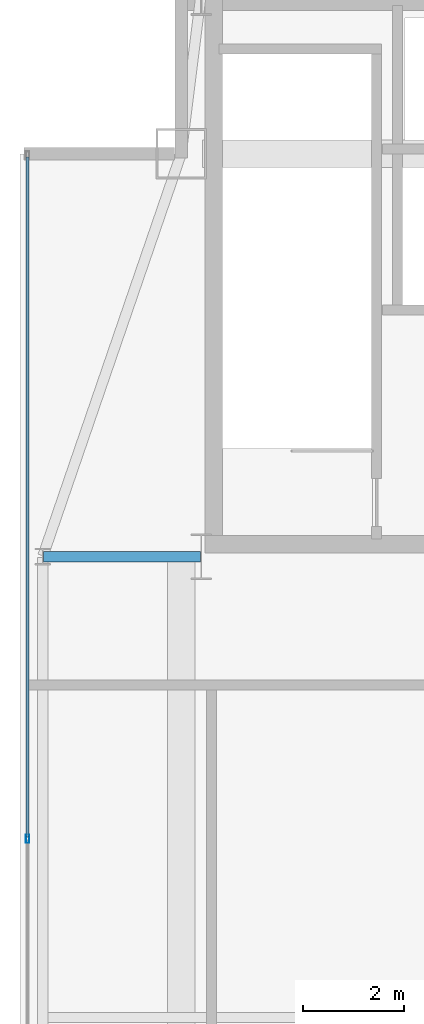
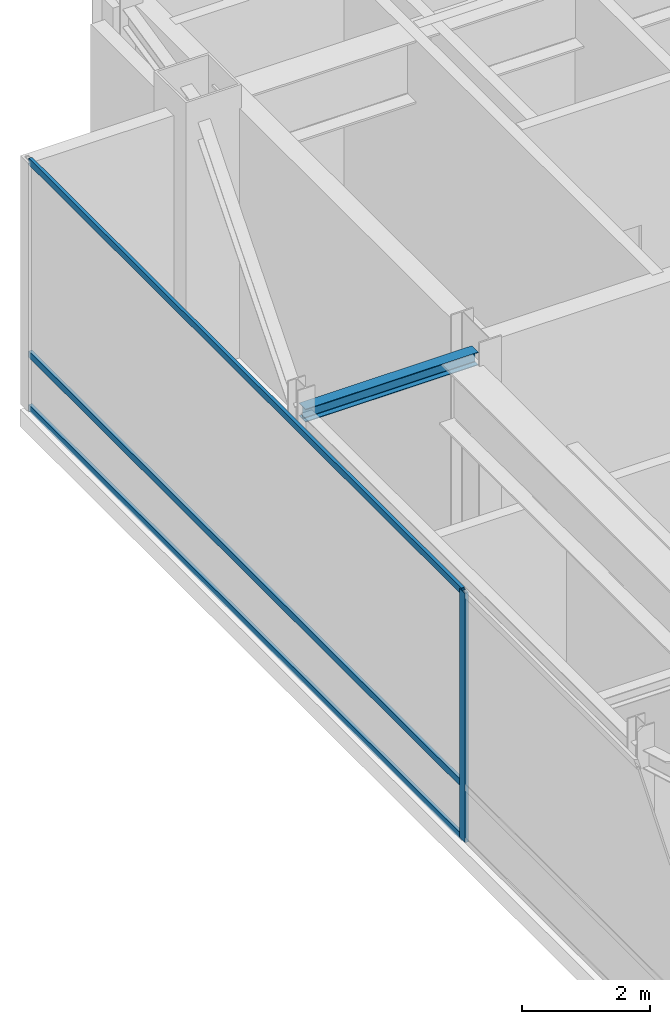
# One storey, part 10 of 20: 4 members, 1 beam, 1 element without a shape of its own.
"""IFC4 building model written with IfcOpenShell, lengths in metres."""

from ifc_helpers import new_model, si_unit, direction, frame, origin, origin_2d, place, context, subcontext, project, spatial, hollow_rectangle, i_section, extrude, source, transform, mapped, material, layer, layer_set, material_profile, profile_set, type_object, type_shapes, element, aggregate, save


model = new_model("IFC4")

# Units and contexts
model_context = context("Model", 3, precision=1e-05, world=origin(), true_north=direction((0.0, 1.0)))
body_context = subcontext(model_context, "Body", "Model", "MODEL_VIEW")
ifc_project = project(units=[si_unit("LENGTHUNIT", "METRE"), si_unit("AREAUNIT", "SQUARE_METRE"), si_unit("VOLUMEUNIT", "CUBIC_METRE"), si_unit("PLANEANGLEUNIT", "RADIAN"), si_unit("MASSUNIT", "GRAM", prefix="KILO")], contexts=[model_context])

# Site, building, storey
site_placement = place(None, origin())
site = spatial("IfcSite", under=ifc_project, at=site_placement, CompositionType="ELEMENT")
building_placement = place(site_placement, origin())
building = spatial("IfcBuilding", under=site, at=building_placement, Name="Varnel Quay Broadcast Tower", CompositionType="ELEMENT")
storey_placement = place(building_placement, frame((0.0, 0.0, 314.60009765625)))
storey = spatial("IfcBuildingStorey", under=building, at=storey_placement, Name="L78", CompositionType="ELEMENT", Elevation=314.60009765625)

# Beam
ifc_material_1 = material(Name="Structural Steel CSA G40.21 350W", Category="steel")
ifc_material_profile_1 = material_profile(ifc_material_1, i_section(OverallWidth=0.201904296875, OverallDepth=0.2470703125, WebThickness=0.00732421875, FlangeThickness=0.010986328125, FilletRadius=0.010986328125, at=origin_2d()), Name="W250X49")
ifc_profile_set_1 = profile_set([ifc_material_profile_1], Name="Structural Steel CSA G40.21 350W")
beam_type = type_object("IfcBeamType", Name="Beam_W250X49", PredefinedType="JOIST", material=ifc_profile_set_1)
shared_shape_1 = source(origin(), body_context, "Body", "SweptSolid", [
    extrude(i_section(OverallWidth=0.201904296875, OverallDepth=0.2470703125, WebThickness=0.00732421875, FlangeThickness=0.010986328125, FilletRadius=0.010986328125, at=origin_2d()), origin(), (0.0, 0.0, 1.0), 3.110107421875),
])
type_shapes(beam_type, [shared_shape_1])
beam_placement = place(storey_placement, frame((12.469970703125, 35.60009765625, 4.62646484375), z_axis=(1.0, 0.0, 0.0), x_axis=(0.0, 1.0, 0.0)))
element("IfcBeam", 1, at=beam_placement, inside=storey, type_object=beam_type, Name="L78 West Core Tie Joist", PredefinedType="JOIST", context=body_context, shape_type="MappedRepresentation", body=[
    mapped(shared_shape_1, transform((0.0, 0.0, 0.0), x_axis=(1.0, 0.0, 0.0), y_axis=(0.0, 1.0, 0.0), z_axis=(0.0, 0.0, 1.0), scale=1.0)),
])

# Curtain wall, members
ifc_material_2 = material(Name="Anodised Bronze Aluminium 6063-T6", Category="aluminium")
ifc_layer = layer(ifc_material_2, 0.18994140625, Name="Anodised Bronze Aluminium 6063-T6")
ifc_layer_set = layer_set([ifc_layer], Name="Anodised Bronze Aluminium 6063-T6")
curtain_wall_type = type_object("IfcCurtainWallType", Name="CW_UpperTower", PredefinedType="NOTDEFINED", material=ifc_layer_set)
curtain_wall_placement = place(storey_placement, origin())
curtain_wall = element("IfcCurtainWall", 2, at=curtain_wall_placement, inside=storey, type_object=curtain_wall_type, Name="L78 West Unitised Curtain Wall", PredefinedType="NOTDEFINED")
ifc_material_profile_2 = material_profile(ifc_material_2, hollow_rectangle(XDim=0.06005859375, YDim=0.125, WallThickness=0.0029296875, at=origin_2d()), Name="ALU60X125X3")
ifc_profile_set_2 = profile_set([ifc_material_profile_2], Name="Anodised Bronze Aluminium 6063-T6")
member_type_1 = type_object("IfcMemberType", Name="Tran_CWS-03", PredefinedType="USERDEFINED", material=ifc_profile_set_2)
shared_shape_2 = source(origin(), body_context, "Body", "SweptSolid", [
    extrude(hollow_rectangle(XDim=0.06005859375, YDim=0.125, WallThickness=0.0029296875, at=origin_2d()), origin(), (0.0, 0.0, 1.0), 13.50244140625),
])
type_shapes(member_type_1, [shared_shape_2])
member_1_placement = place(storey_placement, frame((12.14990234375, 30.032470703125, 0.02978515625), z_axis=(0.0, 1.0, 0.0), x_axis=(-1.0, 0.0, 0.0)))
member_1 = element("IfcMember", 3, at=member_1_placement, type_object=member_type_1, Name="CWS-03 transom 2.1", ObjectType="TRANSOM", PredefinedType="USERDEFINED", context=body_context, shape_type="MappedRepresentation", body=[
    mapped(shared_shape_2, transform((0.0, 0.0, 0.0), x_axis=(1.0, 0.0, 0.0), y_axis=(0.0, 1.0, 0.0), z_axis=(0.0, 0.0, 1.0), scale=1.0)),
])
member_2_placement = place(storey_placement, frame((12.14990234375, 30.032470703125, 1.0498046875), z_axis=(0.0, 1.0, 0.0), x_axis=(-1.0, 0.0, 0.0)))
member_2 = element("IfcMember", 4, at=member_2_placement, type_object=member_type_1, Name="CWS-03 transom 2.2", ObjectType="TRANSOM", PredefinedType="USERDEFINED", context=body_context, shape_type="MappedRepresentation", body=[
    mapped(shared_shape_2, transform((0.0, 0.0, 0.0), x_axis=(1.0, 0.0, 0.0), y_axis=(0.0, 1.0, 0.0), z_axis=(0.0, 0.0, 1.0), scale=1.0)),
])
member_3_placement = place(storey_placement, frame((12.14990234375, 30.032470703125, 4.719970703125), z_axis=(0.0, 1.0, 0.0), x_axis=(-1.0, 0.0, 0.0)))
member_3 = element("IfcMember", 5, at=member_3_placement, type_object=member_type_1, Name="CWS-03 transom 2.3", ObjectType="TRANSOM", PredefinedType="USERDEFINED", context=body_context, shape_type="MappedRepresentation", body=[
    mapped(shared_shape_2, transform((0.0, 0.0, 0.0), x_axis=(1.0, 0.0, 0.0), y_axis=(0.0, 1.0, 0.0), z_axis=(0.0, 0.0, 1.0), scale=1.0)),
])
ifc_material_profile_3 = material_profile(ifc_material_2, hollow_rectangle(XDim=0.06494140625, YDim=0.1650390625, WallThickness=0.00341796875, at=origin_2d()), Name="ALU65X165X3.5")
ifc_profile_set_3 = profile_set([ifc_material_profile_3], Name="Anodised Bronze Aluminium 6063-T6")
member_type_2 = type_object("IfcMemberType", Name="Mull_CWS-03", PredefinedType="MULLION", material=ifc_profile_set_3)
shared_shape_3 = source(origin(), body_context, "Body", "SweptSolid", [
    extrude(hollow_rectangle(XDim=0.06494140625, YDim=0.1650390625, WallThickness=0.00341796875, at=origin_2d()), origin(), (0.0, 0.0, 1.0), 4.75),
])
type_shapes(member_type_2, [shared_shape_3])
member_4_placement = place(storey_placement, frame((12.14990234375, 30.0, 0.0), z_axis=(0.0, 0.0, 1.0), x_axis=(-1.0, 0.0, 0.0)))
member_4 = element("IfcMember", 6, at=member_4_placement, type_object=member_type_2, Name="CWS-03 mullion 2", PredefinedType="MULLION", context=body_context, shape_type="MappedRepresentation", body=[
    mapped(shared_shape_3, transform((0.0, 0.0, 0.0), x_axis=(1.0, 0.0, 0.0), y_axis=(0.0, 1.0, 0.0), z_axis=(0.0, 0.0, 1.0), scale=1.0)),
])
aggregate(curtain_wall, [member_4, member_1, member_2, member_3])

save(model, "model.ifc")
